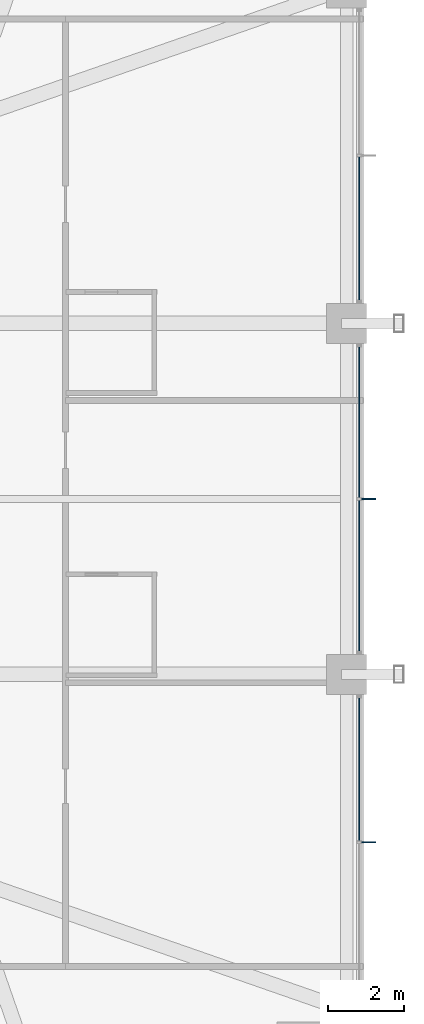
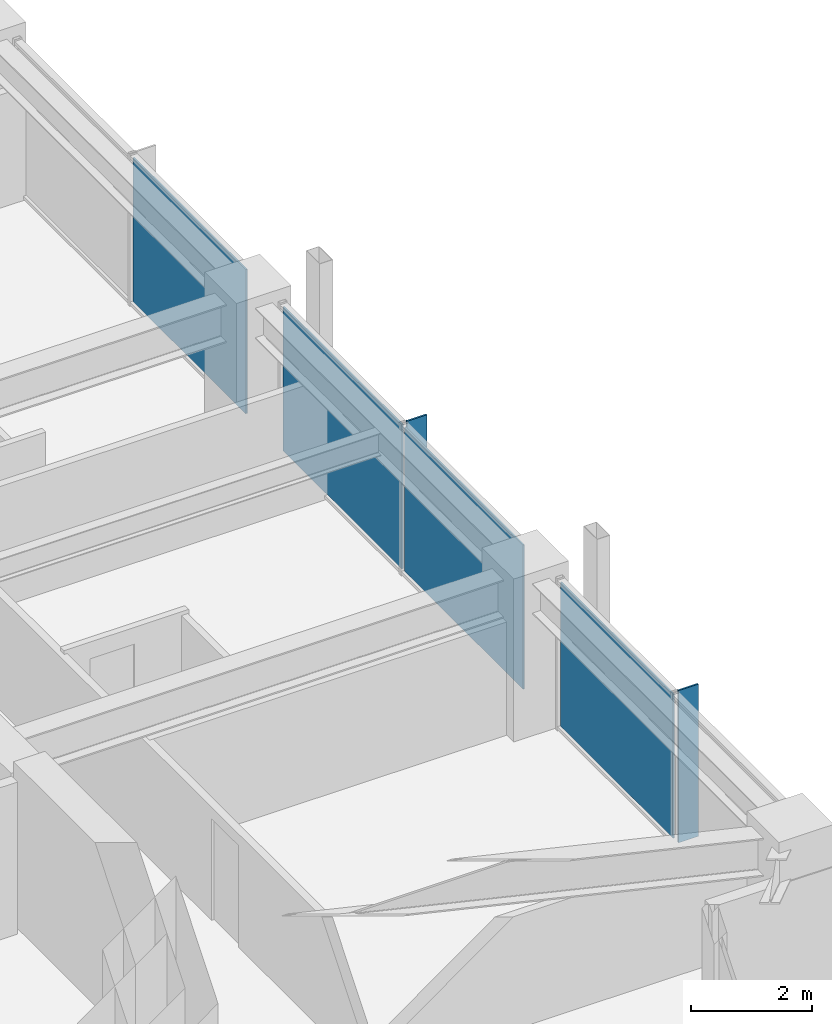
# One storey, part 29 of 38: 6 plates, 3 elements without a shape of their own.
"""IFC4 building model written with IfcOpenShell, lengths in metres."""

from ifc_helpers import new_model, si_unit, direction, frame, origin, origin_2d, place, context, subcontext, project, spatial, rectangle, extrude, material, layer, layer_set, type_object, element, aggregate, save


model = new_model("IFC4")

# Units and contexts
model_context = context("Model", 3, precision=1e-05, world=origin(), true_north=direction((0.0, 1.0)))
body_context = subcontext(model_context, "Body", "Model", "MODEL_VIEW")
ifc_project = project(units=[si_unit("LENGTHUNIT", "METRE"), si_unit("AREAUNIT", "SQUARE_METRE"), si_unit("VOLUMEUNIT", "CUBIC_METRE"), si_unit("PLANEANGLEUNIT", "RADIAN"), si_unit("MASSUNIT", "GRAM", prefix="KILO")], contexts=[model_context])

# Site, building, storey
site_placement = place(None, origin())
site = spatial("IfcSite", under=ifc_project, at=site_placement, CompositionType="ELEMENT")
building_placement = place(site_placement, origin())
building = spatial("IfcBuilding", under=site, at=building_placement, Name="Kolvaren Belvedere", CompositionType="ELEMENT")
storey_placement = place(building_placement, frame((0.0, 0.0, 78.800048828125)))
storey = spatial("IfcBuildingStorey", under=building, at=storey_placement, Name="L22", CompositionType="ELEMENT", Elevation=78.800048828125)

# Curtain wall, plate
ifc_material_1 = material(Name="Anodised pale-metal aluminium AA 6063-T6", Category="aluminium")
curtain_wall_type = type_object("IfcCurtainWallType", Name="CW-Z2-MID", PredefinedType="NOTDEFINED", material=ifc_material_1)
curtain_wall_1_placement = place(storey_placement, origin())
curtain_wall_1 = element("IfcCurtainWall", 1, at=curtain_wall_1_placement, inside=storey, type_object=curtain_wall_type, Name="L22 Unitised Curtain Wall FCW-L22-E-B1", PredefinedType="NOTDEFINED")
ifc_material_2 = material(Name="Low-iron triple insulated glass", Category="glass")
ifc_layer_1 = layer(ifc_material_2, 0.028076171875)
ifc_layer_set_1 = layer_set([ifc_layer_1], Name="Low-iron triple insulated glass")
plate_type_1 = type_object("IfcPlateType", Name="CW-PNL-VIS28", PredefinedType="CURTAIN_PANEL", material=ifc_layer_set_1)
plate_1_placement = place(storey_placement, frame((20.280029296875, 7.0888671875, 0.080078125), z_axis=(0.0, 0.0, 1.0), x_axis=(0.0, -1.0, 0.0)))
plate_1 = element("IfcPlate", 2, at=plate_1_placement, type_object=plate_type_1, Name="FCW-L22-E-B1 Vision Glazing Panel 2", PredefinedType="CURTAIN_PANEL", context=body_context, shape_type="SweptSolid", body=[
    extrude(rectangle(XDim=3.742431640625, YDim=0.028076171875, at=origin_2d()), origin(), (0.0, 0.0, 1.0), 2.919921875),
])
aggregate(curtain_wall_1, [plate_1])

# Curtain wall, plates
curtain_wall_2_placement = place(storey_placement, origin())
curtain_wall_2 = element("IfcCurtainWall", 3, at=curtain_wall_2_placement, inside=storey, type_object=curtain_wall_type, Name="L22 Unitised Curtain Wall FCW-L22-E-B2", PredefinedType="NOTDEFINED")
plate_2_placement = place(storey_placement, frame((20.280029296875, 2.01123046875, 0.080078125), z_axis=(0.0, 0.0, 1.0), x_axis=(0.0, -1.0, 0.0)))
plate_2 = element("IfcPlate", 4, at=plate_2_placement, type_object=plate_type_1, Name="FCW-L22-E-B2 Vision Glazing Panel 1", PredefinedType="CURTAIN_PANEL", context=body_context, shape_type="SweptSolid", body=[
    extrude(rectangle(XDim=3.9423828125, YDim=0.028076171875, at=origin_2d()), origin(), (0.0, 0.0, 1.0), 2.919921875),
])
plate_3_placement = place(storey_placement, frame((20.280029296875, -2.01123046875, 0.080078125), z_axis=(0.0, 0.0, 1.0), x_axis=(0.0, -1.0, 0.0)))
plate_3 = element("IfcPlate", 5, at=plate_3_placement, type_object=plate_type_1, Name="FCW-L22-E-B2 Vision Glazing Panel 2", PredefinedType="CURTAIN_PANEL", context=body_context, shape_type="SweptSolid", body=[
    extrude(rectangle(XDim=3.9423828125, YDim=0.028076171875, at=origin_2d()), origin(), (0.0, 0.0, 1.0), 2.919921875),
])
aggregate(curtain_wall_2, [plate_2, plate_3])

# Curtain wall, plate
curtain_wall_3_placement = place(storey_placement, origin())
curtain_wall_3 = element("IfcCurtainWall", 6, at=curtain_wall_3_placement, inside=storey, type_object=curtain_wall_type, Name="L22 Unitised Curtain Wall FCW-L22-E-B3", PredefinedType="NOTDEFINED")
plate_4_placement = place(storey_placement, frame((20.280029296875, -7.0888671875, 0.080078125), z_axis=(0.0, 0.0, 1.0), x_axis=(0.0, -1.0, 0.0)))
plate_4 = element("IfcPlate", 7, at=plate_4_placement, type_object=plate_type_1, Name="FCW-L22-E-B3 Vision Glazing Panel 1", PredefinedType="CURTAIN_PANEL", context=body_context, shape_type="SweptSolid", body=[
    extrude(rectangle(XDim=3.742431640625, YDim=0.028076171875, at=origin_2d()), origin(), (0.0, 0.0, 1.0), 2.919921875),
])
aggregate(curtain_wall_3, [plate_4])

# Plates
ifc_material_3 = material(Name="Anodised pale-metal aluminium AA 6063-T6", Category="aluminium")
ifc_layer_2 = layer(ifc_material_3, 0.033935546875)
ifc_layer_set_2 = layer_set([ifc_layer_2], Name="Anodised pale-metal aluminium AA 6063-T6")
plate_type_2 = type_object("IfcPlateType", Name="FIN-VERT-380", PredefinedType="USERDEFINED", material=ifc_layer_set_2)
for number, where, z_axis, x_axis, name in (
    (8, (20.52490234375, 0.0, 0.0), (0.0, 0.0, 1.0), (1.0, 0.0, 0.0), "L22 Pale-Metal Vertical Shading Fin FCW-L22-E-B2-1"),
    (9, (20.52490234375, -9.0, 0.0), (0.0, 0.0, 1.0), (1.0, 0.0, 0.0), "L22 Pale-Metal Vertical Shading Fin FCW-L22-E-B3-1"),
):
    element("IfcPlate", number, at=place(storey_placement, frame(where, z_axis=z_axis, x_axis=x_axis)), inside=storey, type_object=plate_type_2, Name=name, ObjectType="VERTICAL FIN", PredefinedType="USERDEFINED", context=body_context, shape_type="SweptSolid", body=[
        extrude(rectangle(XDim=0.3798828125, YDim=0.033935546875, at=origin_2d()), origin(), (0.0, 0.0, 1.0), 3.080078125),
    ])

save(model, "model.ifc")
